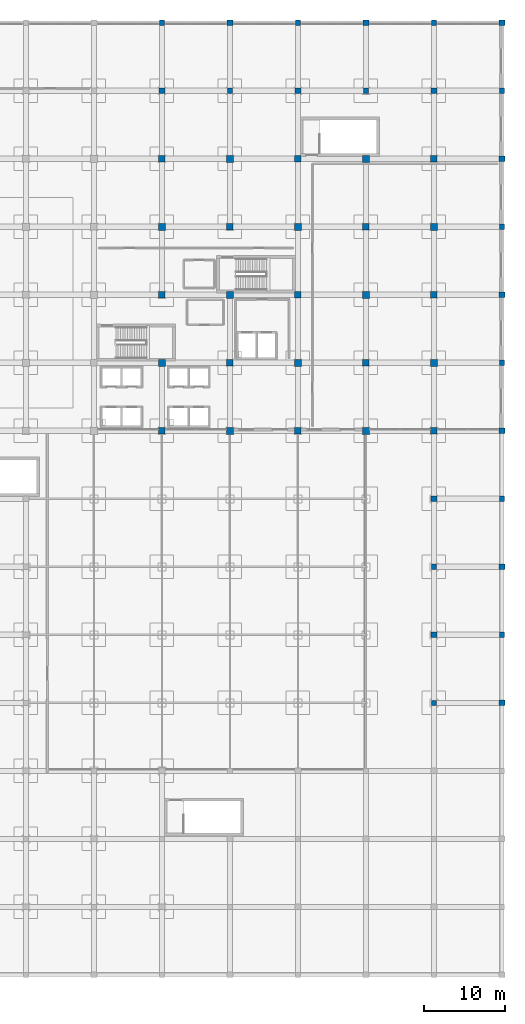
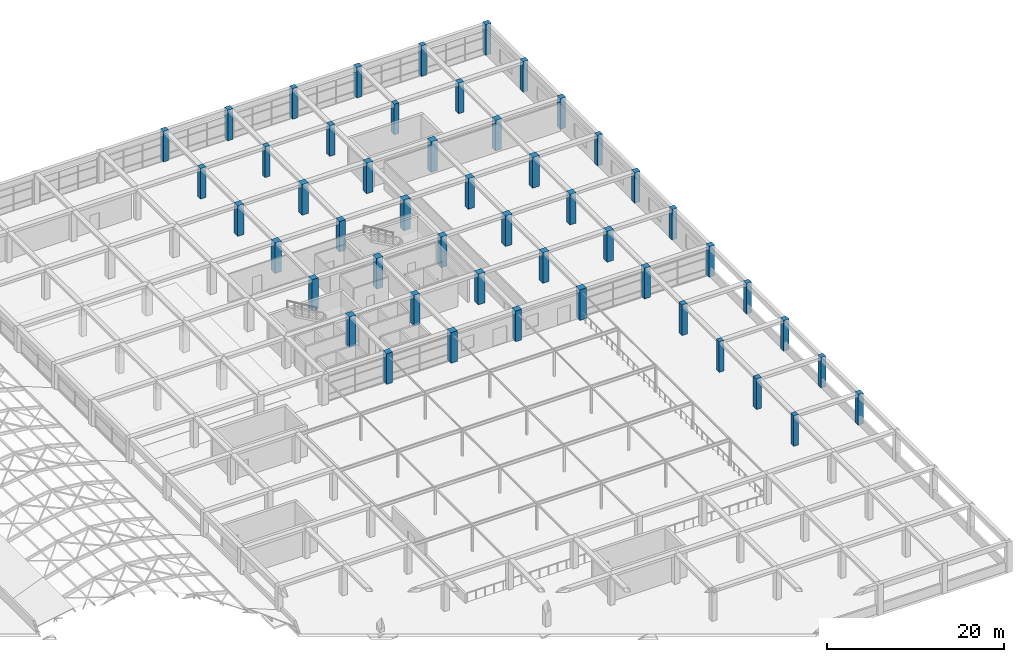
# One storey, part 9 of 85: 50 columns.
"""IFC4 building model written with IfcOpenShell, lengths in metres."""

import ifcopenshell
import ifcopenshell.guid

model = None  # the IFC model being written
_history = None  # IfcOwnerHistory: only IFC2X3 demands one
_inside = {}  # id of a spatial element -> (the spatial element, [elements in it])
_under = {}  # id of a project, library or spatial element -> (it, [spatial elements below it])
_declared = {}  # id of a project -> (the project, [libraries it declares])
_typed = {}  # id of a type object -> (the type object, [elements of that type])
_made_of = {}  # id of a material, layer set ... -> (it, [elements and type objects made of it])


def new_model(schema):
    """Start an empty IFC model of exactly this schema.

    Asked for "IFC4X3", IfcOpenShell would pick the latest addendum, in which some entities
    have other attributes; the version numbers below select the first issue.
    IFC2X3 requires an IfcOwnerHistory on every rooted entity: one is made here for all.
    """
    global model, _history
    if schema == "IFC4X3":
        model = ifcopenshell.file(schema_version=(4, 3, 0, 0))
    else:
        model = ifcopenshell.file(schema=schema)
    _inside.clear()
    _under.clear()
    _declared.clear()
    _typed.clear()
    _made_of.clear()
    _history = None
    if model.schema == "IFC2X3":
        org = make("IfcOrganization", Name="unknown")
        user = make(
            "IfcPersonAndOrganization",
            ThePerson=make("IfcPerson", FamilyName="unknown"),
            TheOrganization=org,
        )
        app = make(
            "IfcApplication",
            ApplicationDeveloper=org,
            Version="unknown",
            ApplicationFullName="unknown",
            ApplicationIdentifier="unknown",
        )
        _history = make(
            "IfcOwnerHistory",
            OwningUser=user,
            OwningApplication=app,
            ChangeAction="ADDED",
            CreationDate=0,
        )
    return model


def make(cls, **values):
    """One entity of the class cls with the attributes given. An attribute that is None is left unset."""
    return model.create_entity(
        cls, **{name: value for name, value in values.items() if value is not None}
    )


def rooted(cls, **values):
    """An entity with a GlobalId (a new one), such as an element, a storey or a relation."""
    return make(cls, GlobalId=ifcopenshell.guid.new(), OwnerHistory=_history, **values)


def si_unit(unit_type, name, prefix=None):
    """IfcSIUnit, for example si_unit("LENGTHUNIT", "METRE", prefix="MILLI")."""
    return make("IfcSIUnit", UnitType=unit_type, Prefix=prefix, Name=name)


def assignment(units):
    """IfcUnitAssignment: the units of a project."""
    return None if units is None else make("IfcUnitAssignment", Units=units)


def point(xyz):
    """IfcCartesianPoint."""
    return None if xyz is None else make("IfcCartesianPoint", Coordinates=xyz)


def direction(xyz):
    """IfcDirection."""
    return None if xyz is None else make("IfcDirection", DirectionRatios=xyz)


def frame(location, z_axis=None, x_axis=None):
    """IfcAxis2Placement3D, a coordinate frame: its origin and axes. An axis left out is left unset."""
    return make(
        "IfcAxis2Placement3D",
        Location=point(location),
        Axis=direction(z_axis),
        RefDirection=direction(x_axis),
    )


def frame_2d(location, x_axis=None):
    """IfcAxis2Placement2D, a coordinate frame in the plane: its origin and x axis."""
    return make(
        "IfcAxis2Placement2D", Location=point(location), RefDirection=direction(x_axis)
    )


def origin():
    """The frame at (0, 0, 0) with its axes left unset."""
    return frame((0.0, 0.0, 0.0))


def origin_2d():
    """The frame at (0, 0) in the plane with its x axis left unset."""
    return frame_2d((0.0, 0.0))


def place(relative_to, where):
    """IfcLocalPlacement: puts the frame where relative to a parent placement (None: the world)."""
    return make(
        "IfcLocalPlacement", PlacementRelTo=relative_to, RelativePlacement=where
    )


def context(
    kind, dimensions, precision=None, world=None, true_north=None, identifier=None
):
    """IfcGeometricRepresentationContext, for example the 3D "Model" context."""
    return make(
        "IfcGeometricRepresentationContext",
        ContextIdentifier=identifier,
        ContextType=kind,
        CoordinateSpaceDimension=dimensions,
        Precision=precision,
        WorldCoordinateSystem=world,
        TrueNorth=true_north,
    )


def subcontext(parent, identifier, kind, view, scale=None):
    """IfcGeometricRepresentationSubContext, for example "Body" below "Model"."""
    return make(
        "IfcGeometricRepresentationSubContext",
        ContextIdentifier=identifier,
        ContextType=kind,
        ParentContext=parent,
        TargetScale=scale,
        TargetView=view,
    )


def project(units=None, contexts=None):
    """IfcProject with its units and contexts."""
    return rooted(
        "IfcProject",
        Name="project",
        RepresentationContexts=contexts,
        UnitsInContext=assignment(units),
    )


def spatial(cls, under=None, at=None, **own):
    """A site, building, storey or space (cls), placed at a placement, below another one or the project."""
    s = rooted(cls, ObjectPlacement=at, **own)
    if under is not None:
        _under.setdefault(under.id(), (under, []))[1].append(s)
    return s


def profile(cls, at=None, kind="AREA", **sizes):
    """A parametric profile (cls). Its sizes go by their IFC names, for example OverallWidth=200.0."""
    return make(cls, ProfileType=kind, Position=at, **sizes)


def rectangle(**sizes):
    """IfcRectangleProfileDef."""
    return profile("IfcRectangleProfileDef", **sizes)


def extrude(swept, where, along, depth):
    """IfcExtrudedAreaSolid: the profile swept, set in the frame where, extruded along a direction by depth."""
    return make(
        "IfcExtrudedAreaSolid",
        SweptArea=swept,
        Position=where,
        ExtrudedDirection=direction(along),
        Depth=depth,
    )


def shape(context_of_items, identifier, shape_type, items):
    """IfcShapeRepresentation: the items that make up one representation, for example the "Body"."""
    return make(
        "IfcShapeRepresentation",
        ContextOfItems=context_of_items,
        RepresentationIdentifier=identifier,
        RepresentationType=shape_type,
        Items=items,
    )


def material(Name=None, Category=None):
    """IfcMaterial."""
    return make("IfcMaterial", Name=Name, Category=Category)


def material_profile(
    of_material, cross_section, Name=None, Category=None, Priority=None
):
    """IfcMaterialProfile: a cross section and its material."""
    return make(
        "IfcMaterialProfile",
        Name=Name,
        Material=of_material,
        Profile=cross_section,
        Priority=Priority,
        Category=Category,
    )


def profile_set(profiles, Name=None, composite=None):
    """IfcMaterialProfileSet."""
    return make(
        "IfcMaterialProfileSet",
        Name=Name,
        MaterialProfiles=profiles,
        CompositeProfile=composite,
    )


def made_of(thing, what):
    """Note that an element or type object is made of a material, layer set ...; save() writes the relation."""
    if what is not None:
        _made_of.setdefault(what.id(), (what, []))[1].append(thing)
    return thing


def type_object(cls, material=None, **own):
    """A type object (cls), such as IfcWallType, which elements share."""
    return made_of(rooted(cls, **own), material)


def element(
    cls,
    number,
    at=None,
    inside=None,
    cuts=None,
    type_object=None,
    material=None,
    context=None,
    identifier="Body",
    shape_type=None,
    held_by="IfcProductDefinitionShape",
    body=None,
    shapes=None,
    **own,
):
    """One element of the class cls, such as IfcWall. Its Tag is "e" and its number.

    at: its placement. inside: the storey or other place that contains it. cuts: it is an
    opening in that element (IfcRelVoidsElement). A single representation is given by context,
    identifier, shape_type and body (its items); several are given by shapes. held_by: the class
    of the entity that holds the representations. save() writes the other relations.
    """
    e = rooted(cls, Tag="e%d" % number, ObjectPlacement=at, **own)
    if body is not None:
        shapes = [shape(context, identifier, shape_type, body)]
    if shapes is not None:
        e.Representation = make(held_by, Representations=shapes)
    if inside is not None:
        _inside.setdefault(inside.id(), (inside, []))[1].append(e)
    if cuts is not None:
        rooted(
            "IfcRelVoidsElement", RelatingBuildingElement=cuts, RelatedOpeningElement=e
        )
    if type_object is not None:
        _typed.setdefault(type_object.id(), (type_object, []))[1].append(e)
    return made_of(e, material)


def aggregate(whole, parts):
    """IfcRelAggregates: a whole, such as a stair, and the parts it consists of."""
    return rooted("IfcRelAggregates", RelatingObject=whole, RelatedObjects=parts)


def save(model, path):
    """Write the relations noted so far, then the file.

    IfcRelAggregates (storeys below a building ...), IfcRelContainedInSpatialStructure (elements
    in a storey), IfcRelDefinesByType, IfcRelAssociatesMaterial and IfcRelDeclares: one each for
    every whole, place, type object, material and project.
    """
    for whole, parts in _under.values():
        aggregate(whole, parts)
    for where, things in _inside.values():
        rooted(
            "IfcRelContainedInSpatialStructure",
            RelatedElements=things,
            RelatingStructure=where,
        )
    for kind, things in _typed.values():
        rooted("IfcRelDefinesByType", RelatedObjects=things, RelatingType=kind)
    for what, things in _made_of.values():
        rooted("IfcRelAssociatesMaterial", RelatedObjects=things, RelatingMaterial=what)
    for by, libraries in _declared.values():
        rooted("IfcRelDeclares", RelatingContext=by, RelatedDefinitions=libraries)
    model.write(path)


model = new_model("IFC4")

# Units and contexts
model_context = context("Model", 3, precision=1e-05, world=origin(), true_north=direction((0.0, 1.0)))
body_context = subcontext(model_context, "Body", "Model", "MODEL_VIEW")
ifc_project = project(units=[si_unit("LENGTHUNIT", "METRE"), si_unit("AREAUNIT", "SQUARE_METRE"), si_unit("VOLUMEUNIT", "CUBIC_METRE"), si_unit("PLANEANGLEUNIT", "RADIAN"), si_unit("MASSUNIT", "GRAM", prefix="KILO")], contexts=[model_context])

# Site, building, storey
site_placement = place(None, origin())
site = spatial("IfcSite", under=ifc_project, at=site_placement, CompositionType="ELEMENT")
building_placement = place(site_placement, origin())
building = spatial("IfcBuilding", under=site, at=building_placement, Name="Almacenes y Pasaje Nevantli", CompositionType="ELEMENT")
storey_placement = place(building_placement, frame((0.0, 0.0, 22.199951171875)))
storey = spatial("IfcBuildingStorey", under=building, at=storey_placement, Name="L05", CompositionType="ELEMENT", Elevation=22.199951171875)

# Columns
ifc_material_1 = material(Name="Concrete C45/55", Category="concrete")
ifc_material_profile_1 = material_profile(ifc_material_1, rectangle(XDim=0.64990234375, YDim=0.64990234375, at=origin_2d()), Name="RC-COL-650x650")
ifc_profile_set_1 = profile_set([ifc_material_profile_1], Name="Concrete C45/55")
column_type_1 = type_object("IfcColumnType", Name="COL-RC-650", PredefinedType="COLUMN", material=ifc_profile_set_1)
for number, where, z_axis, x_axis, name in (
    (1, (126.0, 117.60009765625, 0.0), (0.0, 0.0, 1.0), (1.0, 0.0, 0.0), "L05 Reinforced Concrete Column CL-07 #1982"),
    (2, (134.39990234375, 109.199951171875, 0.0), (0.0, 0.0, 1.0), (1.0, 0.0, 0.0), "L05 Reinforced Concrete Column CL-07 #1992"),
    (3, (142.800048828125, 117.60009765625, 0.0), (0.0, 0.0, 1.0), (1.0, 0.0, 0.0), "L05 Reinforced Concrete Column CL-07 #2004"),
    (4, (151.199951171875, 109.199951171875, 0.0), (0.0, 0.0, 1.0), (1.0, 0.0, 0.0), "L05 Reinforced Concrete Column CL-07 #2014"),
    (5, (159.60009765625, 33.60009765625, 0.0), (0.0, 0.0, 1.0), (1.0, 0.0, 0.0), "L05 Reinforced Concrete Column CL-07 #2020"),
    (6, (159.60009765625, 50.39990234375, 0.0), (0.0, 0.0, 1.0), (1.0, 0.0, 0.0), "L05 Reinforced Concrete Column CL-07 #2022"),
    (7, (159.60009765625, 117.60009765625, 0.0), (0.0, 0.0, 1.0), (1.0, 0.0, 0.0), "L05 Reinforced Concrete Column CL-07 #2030"),
    (8, (168.0, 42.0, 0.0), (0.0, 0.0, 1.0), (1.0, 0.0, 0.0), "L05 Reinforced Concrete Column CL-07 #2036"),
    (9, (168.0, 58.800048828125, 0.0), (0.0, 0.0, 1.0), (1.0, 0.0, 0.0), "L05 Reinforced Concrete Column CL-07 #2038"),
    (10, (168.0, 75.60009765625, 0.0), (0.0, 0.0, 1.0), (1.0, 0.0, 0.0), "L05 Reinforced Concrete Column CL-07 #2040"),
    (11, (168.0, 92.39990234375, 0.0), (0.0, 0.0, 1.0), (1.0, 0.0, 0.0), "L05 Reinforced Concrete Column CL-07 #2042"),
    (12, (168.0, 109.199951171875, 0.0), (0.0, 0.0, 1.0), (1.0, 0.0, 0.0), "L05 Reinforced Concrete Column CL-07 #2044"),
):
    element("IfcColumn", number, at=place(storey_placement, frame(where, z_axis=z_axis, x_axis=x_axis)), inside=storey, type_object=column_type_1, Name=name, PredefinedType="COLUMN", context=body_context, shape_type="SweptSolid", body=[
        extrude(rectangle(XDim=0.64990234375, YDim=0.64990234375, at=origin_2d()), origin(), (0.0, 0.0, 1.0), 4.219970703125),
    ])
ifc_material_2 = material(Name="Concrete C45/55", Category="concrete")
ifc_material_profile_2 = material_profile(ifc_material_2, rectangle(XDim=0.699951171875, YDim=0.699951171875, at=origin_2d()), Name="RC-COL-700x700")
ifc_profile_set_2 = profile_set([ifc_material_profile_2], Name="Concrete C45/55")
column_type_2 = type_object("IfcColumnType", Name="COL-RC-700", PredefinedType="COLUMN", material=ifc_profile_set_2)
for number, where, z_axis, x_axis, name in (
    (13, (126.0, 109.199951171875, 0.0), (0.0, 0.0, 1.0), (1.0, 0.0, 0.0), "L05 Reinforced Concrete Column CL-06 #1981"),
    (14, (134.39990234375, 117.60009765625, 0.0), (0.0, 0.0, 1.0), (1.0, 0.0, 0.0), "L05 Reinforced Concrete Column CL-06 #1993"),
    (15, (142.800048828125, 109.199951171875, 0.0), (0.0, 0.0, 1.0), (1.0, 0.0, 0.0), "L05 Reinforced Concrete Column CL-06 #2003"),
    (16, (151.199951171875, 117.60009765625, 0.0), (0.0, 0.0, 1.0), (1.0, 0.0, 0.0), "L05 Reinforced Concrete Column CL-06 #2015"),
    (17, (159.60009765625, 42.0, 0.0), (0.0, 0.0, 1.0), (1.0, 0.0, 0.0), "L05 Reinforced Concrete Column CL-06 #2021"),
    (18, (159.60009765625, 58.800048828125, 0.0), (0.0, 0.0, 1.0), (1.0, 0.0, 0.0), "L05 Reinforced Concrete Column CL-06 #2023"),
    (19, (159.60009765625, 109.199951171875, 0.0), (0.0, 0.0, 1.0), (1.0, 0.0, 0.0), "L05 Reinforced Concrete Column CL-06 #2029"),
    (20, (168.0, 33.60009765625, 0.0), (0.0, 0.0, 1.0), (1.0, 0.0, 0.0), "L05 Reinforced Concrete Column CL-06 #2035"),
    (21, (168.0, 50.39990234375, 0.0), (0.0, 0.0, 1.0), (1.0, 0.0, 0.0), "L05 Reinforced Concrete Column CL-06 #2037"),
    (22, (168.0, 67.199951171875, 0.0), (0.0, 0.0, 1.0), (1.0, 0.0, 0.0), "L05 Reinforced Concrete Column CL-06 #2039"),
    (23, (168.0, 84.0, 0.0), (0.0, 0.0, 1.0), (1.0, 0.0, 0.0), "L05 Reinforced Concrete Column CL-06 #2041"),
    (24, (168.0, 100.800048828125, 0.0), (0.0, 0.0, 1.0), (1.0, 0.0, 0.0), "L05 Reinforced Concrete Column CL-06 #2043"),
    (25, (168.0, 117.60009765625, 0.0), (0.0, 0.0, 1.0), (1.0, 0.0, 0.0), "L05 Reinforced Concrete Column CL-06 #2045"),
):
    element("IfcColumn", number, at=place(storey_placement, frame(where, z_axis=z_axis, x_axis=x_axis)), inside=storey, type_object=column_type_2, Name=name, PredefinedType="COLUMN", context=body_context, shape_type="SweptSolid", body=[
        extrude(rectangle(XDim=0.699951171875, YDim=0.699951171875, at=origin_2d()), origin(), (0.0, 0.0, 1.0), 4.219970703125),
    ])
ifc_material_3 = material(Name="Concrete C45/55", Category="concrete")
ifc_material_profile_3 = material_profile(ifc_material_3, rectangle(XDim=0.800048828125, YDim=0.800048828125, at=origin_2d()), Name="RC-COL-800x800")
ifc_profile_set_3 = profile_set([ifc_material_profile_3], Name="Concrete C45/55")
column_type_3 = type_object("IfcColumnType", Name="COL-RC-800", PredefinedType="COLUMN", material=ifc_profile_set_3)
for number, where, z_axis, x_axis, name in (
    (26, (126.0, 67.199951171875, 0.0), (0.0, 0.0, 1.0), (1.0, 0.0, 0.0), "L05 Reinforced Concrete Column CL-04 #1976"),
    (27, (126.0, 84.0, 0.0), (0.0, 0.0, 1.0), (1.0, 0.0, 0.0), "L05 Reinforced Concrete Column CL-04 #1978"),
    (28, (126.0, 100.800048828125, 0.0), (0.0, 0.0, 1.0), (1.0, 0.0, 0.0), "L05 Reinforced Concrete Column CL-04 #1980"),
    (29, (134.39990234375, 75.60009765625, 0.0), (0.0, 0.0, 1.0), (1.0, 0.0, 0.0), "L05 Reinforced Concrete Column CL-04 #1988"),
    (30, (134.39990234375, 92.39990234375, 0.0), (0.0, 0.0, 1.0), (1.0, 0.0, 0.0), "L05 Reinforced Concrete Column CL-04 #1990"),
    (31, (142.800048828125, 67.199951171875, 0.0), (0.0, 0.0, 1.0), (1.0, 0.0, 0.0), "L05 Reinforced Concrete Column CL-04 #1998"),
    (32, (142.800048828125, 84.0, 0.0), (0.0, 0.0, 1.0), (1.0, 0.0, 0.0), "L05 Reinforced Concrete Column CL-04 #2000"),
    (33, (142.800048828125, 100.800048828125, 0.0), (0.0, 0.0, 1.0), (1.0, 0.0, 0.0), "L05 Reinforced Concrete Column CL-04 #2002"),
    (34, (151.199951171875, 75.60009765625, 0.0), (0.0, 0.0, 1.0), (1.0, 0.0, 0.0), "L05 Reinforced Concrete Column CL-04 #2010"),
    (35, (151.199951171875, 92.39990234375, 0.0), (0.0, 0.0, 1.0), (1.0, 0.0, 0.0), "L05 Reinforced Concrete Column CL-04 #2012"),
    (36, (159.60009765625, 67.199951171875, 0.0), (0.0, 0.0, 1.0), (1.0, 0.0, 0.0), "L05 Reinforced Concrete Column CL-04 #2024"),
    (37, (159.60009765625, 84.0, 0.0), (0.0, 0.0, 1.0), (1.0, 0.0, 0.0), "L05 Reinforced Concrete Column CL-04 #2026"),
    (38, (159.60009765625, 100.800048828125, 0.0), (0.0, 0.0, 1.0), (1.0, 0.0, 0.0), "L05 Reinforced Concrete Column CL-04 #2028"),
):
    element("IfcColumn", number, at=place(storey_placement, frame(where, z_axis=z_axis, x_axis=x_axis)), inside=storey, type_object=column_type_3, Name=name, PredefinedType="COLUMN", context=body_context, shape_type="SweptSolid", body=[
        extrude(rectangle(XDim=0.800048828125, YDim=0.800048828125, at=origin_2d()), origin(), (0.0, 0.0, 1.0), 4.219970703125),
    ])
ifc_material_4 = material(Name="Concrete C45/55", Category="concrete")
ifc_material_profile_4 = material_profile(ifc_material_4, rectangle(XDim=0.85009765625, YDim=0.85009765625, at=origin_2d()), Name="RC-COL-850x850")
ifc_profile_set_4 = profile_set([ifc_material_profile_4], Name="Concrete C45/55")
column_type_4 = type_object("IfcColumnType", Name="COL-RC-850", PredefinedType="COLUMN", material=ifc_profile_set_4)
for number, where, z_axis, x_axis, name in (
    (39, (126.0, 75.60009765625, 0.0), (0.0, 0.0, 1.0), (1.0, 0.0, 0.0), "L05 Reinforced Concrete Column CL-03 #1977"),
    (40, (126.0, 92.39990234375, 0.0), (0.0, 0.0, 1.0), (1.0, 0.0, 0.0), "L05 Reinforced Concrete Column CL-03 #1979"),
    (41, (134.39990234375, 67.199951171875, 0.0), (0.0, 0.0, 1.0), (1.0, 0.0, 0.0), "L05 Reinforced Concrete Column CL-03 #1987"),
    (42, (134.39990234375, 84.0, 0.0), (0.0, 0.0, 1.0), (1.0, 0.0, 0.0), "L05 Reinforced Concrete Column CL-03 #1989"),
    (43, (134.39990234375, 100.800048828125, 0.0), (0.0, 0.0, 1.0), (1.0, 0.0, 0.0), "L05 Reinforced Concrete Column CL-03 #1991"),
    (44, (142.800048828125, 75.60009765625, 0.0), (0.0, 0.0, 1.0), (1.0, 0.0, 0.0), "L05 Reinforced Concrete Column CL-03 #1999"),
    (45, (142.800048828125, 92.39990234375, 0.0), (0.0, 0.0, 1.0), (1.0, 0.0, 0.0), "L05 Reinforced Concrete Column CL-03 #2001"),
    (46, (151.199951171875, 67.199951171875, 0.0), (0.0, 0.0, 1.0), (1.0, 0.0, 0.0), "L05 Reinforced Concrete Column CL-03 #2009"),
    (47, (151.199951171875, 84.0, 0.0), (0.0, 0.0, 1.0), (1.0, 0.0, 0.0), "L05 Reinforced Concrete Column CL-03 #2011"),
    (48, (151.199951171875, 100.800048828125, 0.0), (0.0, 0.0, 1.0), (1.0, 0.0, 0.0), "L05 Reinforced Concrete Column CL-03 #2013"),
    (49, (159.60009765625, 75.60009765625, 0.0), (0.0, 0.0, 1.0), (1.0, 0.0, 0.0), "L05 Reinforced Concrete Column CL-03 #2025"),
    (50, (159.60009765625, 92.39990234375, 0.0), (0.0, 0.0, 1.0), (1.0, 0.0, 0.0), "L05 Reinforced Concrete Column CL-03 #2027"),
):
    element("IfcColumn", number, at=place(storey_placement, frame(where, z_axis=z_axis, x_axis=x_axis)), inside=storey, type_object=column_type_4, Name=name, PredefinedType="COLUMN", context=body_context, shape_type="SweptSolid", body=[
        extrude(rectangle(XDim=0.85009765625, YDim=0.85009765625, at=origin_2d()), origin(), (0.0, 0.0, 1.0), 4.219970703125),
    ])

save(model, "model.ifc")
